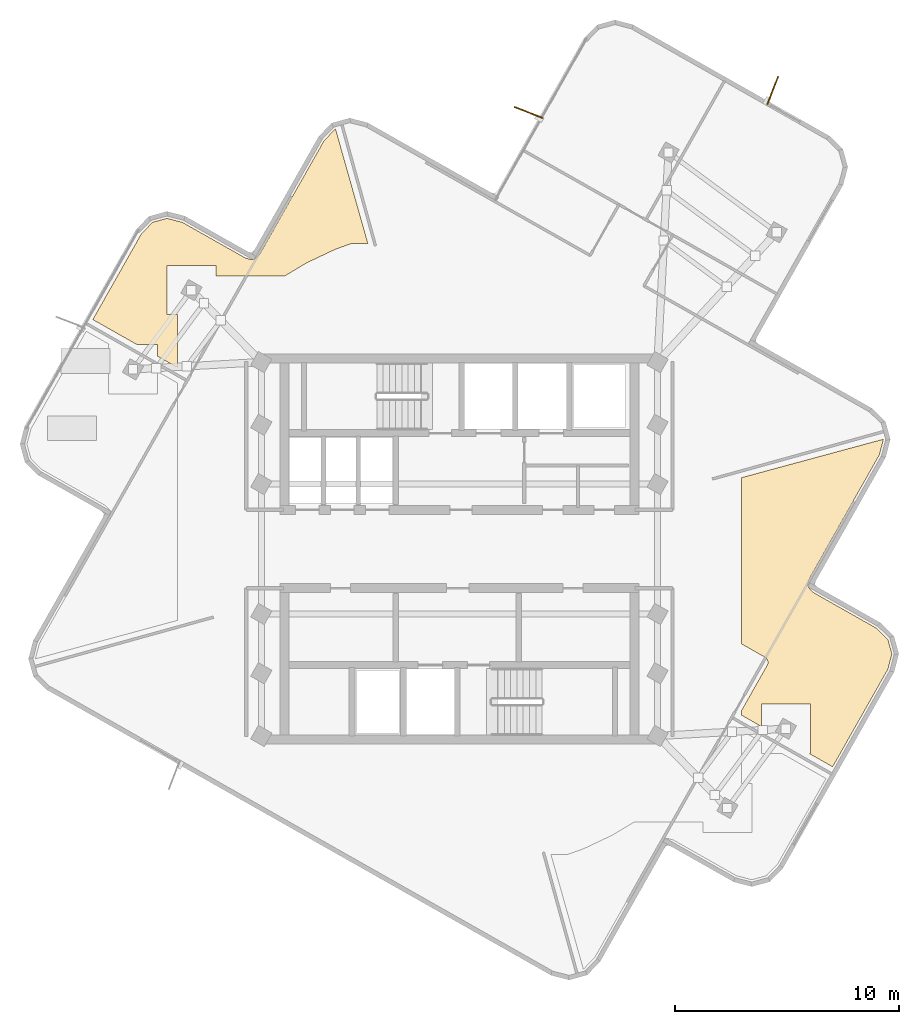
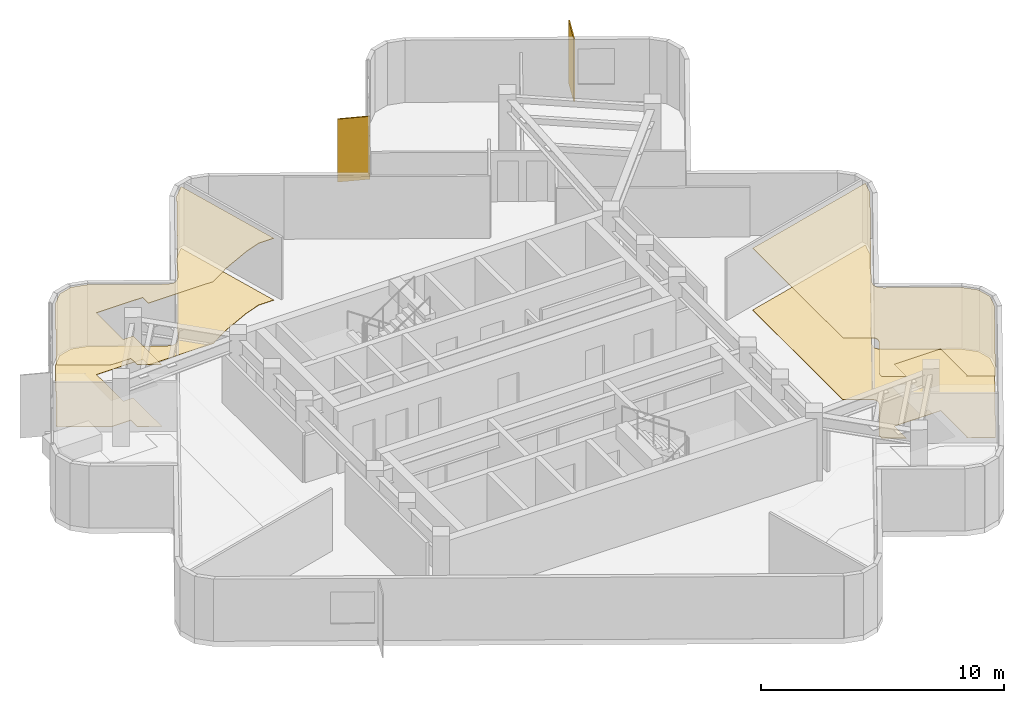
# One storey, part 10 of 11: 4 coverings, 2 shading devices.
"""IFC4 building model written with IfcOpenShell, lengths in metres."""

from ifc_helpers import new_model, si_unit, direction, frame, origin, origin_2d, place, context, subcontext, project, spatial, polyline, rectangle, outline, extrude, material, layer, layer_set, type_object, element, save


model = new_model("IFC4")

# Units and contexts
model_context = context("Model", 3, precision=1e-05, world=origin(), true_north=direction((0.0, 1.0)))
body_context = subcontext(model_context, "Body", "Model", "MODEL_VIEW")
ifc_project = project(units=[si_unit("LENGTHUNIT", "METRE"), si_unit("AREAUNIT", "SQUARE_METRE"), si_unit("VOLUMEUNIT", "CUBIC_METRE"), si_unit("PLANEANGLEUNIT", "RADIAN"), si_unit("MASSUNIT", "GRAM", prefix="KILO")], contexts=[model_context])

# Site, building, storey
site_placement = place(None, origin())
site = spatial("IfcSite", under=ifc_project, at=site_placement, CompositionType="ELEMENT")
building_placement = place(site_placement, origin())
building = spatial("IfcBuilding", under=site, at=building_placement, Name="Solmarez Civic Tower", CompositionType="ELEMENT")
storey_placement = place(building_placement, frame((0.0, 0.0, 281.699951171875)))
storey = spatial("IfcBuildingStorey", under=building, at=storey_placement, Name="L76", CompositionType="ELEMENT", Elevation=281.699951171875)

# Coverings
ifc_material_1 = material(Name="Perforated Mineral-Fibre Acoustic Ceiling")
ifc_layer_1 = layer(ifc_material_1, 0.02490234375)
ifc_layer_set_1 = layer_set([ifc_layer_1], Name="Perforated Mineral-Fibre Acoustic Ceiling")
covering_type_1 = type_object("IfcCoveringType", Name="COV-CEIL-ACOUSTIC", PredefinedType="CEILING", material=ifc_layer_set_1)
covering_1_placement = place(storey_placement, frame((0.0, 0.0, 3.094970703125)))
element("IfcCovering", 1, at=covering_1_placement, inside=storey, type_object=covering_type_1, Name="L76 Suspended Acoustic Ceiling 2", PredefinedType="CEILING", context=body_context, shape_type="SweptSolid", body=[
    extrude(outline(polyline([(12.60009765625, 3.18798828125), (12.60009765625, -4.238037109375), (13.64599609375, -4.8310546875), (13.6630859375, -4.841064453125), (13.678955078125, -4.85302734375), (13.694091796875, -4.865966796875), (13.700927734375, -4.873046875), (13.7119140625, -4.885986328125), (13.718017578125, -4.89306640625), (13.73193359375, -4.909912109375), (13.742919921875, -4.928955078125), (13.748046875, -4.93798828125), (13.758056640625, -4.95703125), (13.764892578125, -4.97705078125), (13.77099609375, -4.9970703125), (13.77294921875, -5.006103515625), (13.77392578125, -5.010986328125), (13.77490234375, -5.01611328125), (13.778076171875, -5.037109375), (13.779052734375, -5.05908203125), (13.779052734375, -5.069091796875), (13.778076171875, -5.091064453125), (13.77490234375, -5.112060546875), (13.77392578125, -5.116943359375), (13.76708984375, -5.14404296875), (13.763916015625, -5.153076171875), (13.759033203125, -5.1650390625), (13.757080078125, -5.169921875), (13.743896484375, -5.196044921875), (12.60009765625, -7.216064453125), (12.60009765625, -7.422119140625), (13.48291015625, -7.922119140625), (13.48291015625, -6.926025390625), (15.68310546875, -6.926025390625), (15.68310546875, -9.1259765625), (15.60888671875, -9.1259765625), (16.6708984375, -9.72705078125), (19.139892578125, -5.366943359375), (19.318115234375, -4.680908203125), (19.139892578125, -4.0390625), (18.634033203125, -3.541015625), (15.85498046875, -1.967041015625), (15.8310546875, -1.952880859375), (15.824951171875, -1.948974609375), (15.80810546875, -1.93603515625), (15.791015625, -1.922119140625), (15.787109375, -1.9169921875), (15.6630859375, -1.7958984375), (15.657958984375, -1.791015625), (15.64501953125, -1.77587890625), (15.639892578125, -1.77001953125), (15.6279296875, -1.75390625), (15.617919921875, -1.738037109375), (15.614013671875, -1.73095703125), (15.60302734375, -1.708984375), (15.60009765625, -1.701904296875), (15.596923828125, -1.695068359375), (15.5869140625, -1.66796875), (15.5849609375, -1.660888671875), (15.5810546875, -1.64501953125), (15.5791015625, -1.6279296875), (15.577880859375, -1.6220703125), (15.576904296875, -1.616943359375), (15.574951171875, -1.5859375), (15.574951171875, -1.577880859375), (15.576904296875, -1.547119140625), (15.577880859375, -1.5400390625), (15.5830078125, -1.51806640625), (15.5849609375, -1.508056640625), (15.6279296875, -1.342041015625), (15.62890625, -1.3369140625), (15.631103515625, -1.330078125), (15.637939453125, -1.31005859375), (15.64697265625, -1.2900390625), (15.657958984375, -1.26904296875), (18.760986328125, 4.212890625), (18.93896484375, 4.89892578125), (18.93701171875, 4.905029296875), (12.60009765625, 3.18798828125)])), origin(), (0.0, 0.0, 1.0), 0.025146484375),
])
covering_2_placement = place(storey_placement, frame((0.0, 0.0, 3.094970703125)))
element("IfcCovering", 2, at=covering_2_placement, inside=storey, type_object=covering_type_1, Name="L76 Suspended Acoustic Ceiling 3", PredefinedType="CEILING", context=body_context, shape_type="SweptSolid", body=[
    extrude(outline(polyline([(-12.60009765625, 8.111083984375), (-12.60009765625, 10.466064453125), (-13.071044921875, 10.466064453125), (-13.071044921875, 12.666015625), (-10.87109375, 12.666015625), (-10.87109375, 12.199951171875), (-7.797119140625, 12.199951171875), (-6.842041015625, 12.77294921875), (-6.826904296875, 12.781005859375), (-6.81396484375, 12.787109375), (-5.552978515625, 13.384033203125), (-5.532958984375, 13.39208984375), (-4.85107421875, 13.635986328125), (-4.844970703125, 13.637939453125), (-4.818115234375, 13.64501953125), (-4.81298828125, 13.64599609375), (-4.7919921875, 13.64892578125), (-4.77001953125, 13.64990234375), (-4.090087890625, 13.64990234375), (-5.534912109375, 18.762939453125), (-5.5419921875, 18.760986328125), (-6.0390625, 18.2548828125), (-8.89697265625, 13.208984375), (-8.905029296875, 13.195068359375), (-8.908935546875, 13.18896484375), (-8.919921875, 13.174072265625), (-8.924072265625, 13.1689453125), (-8.93994140625, 13.14990234375), (-8.944091796875, 13.14599609375), (-9.06396484375, 13.02392578125), (-9.080078125, 13.009033203125), (-9.092041015625, 12.9990234375), (-9.111083984375, 12.985107421875), (-9.116943359375, 12.98095703125), (-9.134033203125, 12.970947265625), (-9.152099609375, 12.9619140625), (-9.166015625, 12.9560546875), (-9.193115234375, 12.946044921875), (-9.199951171875, 12.944091796875), (-9.216064453125, 12.93994140625), (-9.23291015625, 12.93798828125), (-9.240966796875, 12.93701171875), (-9.2490234375, 12.93603515625), (-9.27587890625, 12.93408203125), (-9.282958984375, 12.93408203125), (-9.31005859375, 12.93603515625), (-9.318115234375, 12.93701171875), (-9.3349609375, 12.93896484375), (-9.35107421875, 12.943115234375), (-9.35595703125, 12.945068359375), (-9.52001953125, 12.987060546875), (-9.5380859375, 12.991943359375), (-9.56005859375, 13.0), (-9.5810546875, 13.009033203125), (-9.597900390625, 13.02001953125), (-12.376953125, 14.593017578125), (-13.06298828125, 14.77001953125), (-13.7060546875, 14.593017578125), (-14.202880859375, 14.0869140625), (-16.3759765625, 10.2490234375), (-14.39208984375, 9.1259765625), (-13.48291015625, 9.1259765625), (-13.48291015625, 8.611083984375), (-12.60009765625, 8.111083984375)])), origin(), (0.0, 0.0, 1.0), 0.025146484375),
])
ifc_material_2 = material(Name="Polished Tropical Stone Terrazzo Flooring", Category="masonry")
ifc_layer_2 = layer(ifc_material_2, 0.02001953125)
ifc_layer_set_2 = layer_set([ifc_layer_2], Name="Polished Tropical Stone Terrazzo Flooring")
covering_type_2 = type_object("IfcCoveringType", Name="COV-FLOOR-TERRAZZO", PredefinedType="FLOORING", material=ifc_layer_set_2)
covering_3_placement = place(storey_placement, origin())
element("IfcCovering", 3, at=covering_3_placement, inside=storey, type_object=covering_type_2, Name="L76 Terrazzo Floor Finish 2", PredefinedType="FLOORING", context=body_context, shape_type="SweptSolid", body=[
    extrude(outline(polyline([(12.60009765625, 3.18798828125), (12.60009765625, -4.238037109375), (13.64599609375, -4.8310546875), (13.6630859375, -4.841064453125), (13.678955078125, -4.85302734375), (13.694091796875, -4.865966796875), (13.700927734375, -4.873046875), (13.7119140625, -4.885986328125), (13.718017578125, -4.89306640625), (13.73193359375, -4.909912109375), (13.742919921875, -4.928955078125), (13.748046875, -4.93798828125), (13.758056640625, -4.95703125), (13.764892578125, -4.97705078125), (13.77099609375, -4.9970703125), (13.77294921875, -5.006103515625), (13.77392578125, -5.010986328125), (13.77490234375, -5.01611328125), (13.778076171875, -5.037109375), (13.779052734375, -5.05908203125), (13.779052734375, -5.069091796875), (13.778076171875, -5.091064453125), (13.77490234375, -5.112060546875), (13.77392578125, -5.116943359375), (13.76708984375, -5.14404296875), (13.763916015625, -5.153076171875), (13.759033203125, -5.1650390625), (13.757080078125, -5.169921875), (13.743896484375, -5.196044921875), (12.60009765625, -7.216064453125), (12.60009765625, -7.422119140625), (13.48291015625, -7.922119140625), (13.48291015625, -6.926025390625), (15.68310546875, -6.926025390625), (15.68310546875, -9.1259765625), (15.60888671875, -9.1259765625), (16.6708984375, -9.72705078125), (19.139892578125, -5.366943359375), (19.318115234375, -4.680908203125), (19.139892578125, -4.0390625), (18.634033203125, -3.541015625), (15.85498046875, -1.967041015625), (15.8310546875, -1.952880859375), (15.824951171875, -1.948974609375), (15.80810546875, -1.93603515625), (15.791015625, -1.922119140625), (15.787109375, -1.9169921875), (15.6630859375, -1.7958984375), (15.657958984375, -1.791015625), (15.64501953125, -1.77587890625), (15.639892578125, -1.77001953125), (15.6279296875, -1.75390625), (15.617919921875, -1.738037109375), (15.614013671875, -1.73095703125), (15.60302734375, -1.708984375), (15.60009765625, -1.701904296875), (15.596923828125, -1.695068359375), (15.5869140625, -1.66796875), (15.5849609375, -1.660888671875), (15.5810546875, -1.64501953125), (15.5791015625, -1.6279296875), (15.577880859375, -1.6220703125), (15.576904296875, -1.616943359375), (15.574951171875, -1.5859375), (15.574951171875, -1.577880859375), (15.576904296875, -1.547119140625), (15.577880859375, -1.5400390625), (15.5830078125, -1.51806640625), (15.5849609375, -1.508056640625), (15.6279296875, -1.342041015625), (15.62890625, -1.3369140625), (15.631103515625, -1.330078125), (15.637939453125, -1.31005859375), (15.64697265625, -1.2900390625), (15.657958984375, -1.26904296875), (18.760986328125, 4.212890625), (18.93896484375, 4.89892578125), (18.93701171875, 4.905029296875), (12.60009765625, 3.18798828125)])), origin(), (0.0, 0.0, 1.0), 0.02001953125),
])
covering_4_placement = place(storey_placement, origin())
element("IfcCovering", 4, at=covering_4_placement, inside=storey, type_object=covering_type_2, Name="L76 Terrazzo Floor Finish 3", PredefinedType="FLOORING", context=body_context, shape_type="SweptSolid", body=[
    extrude(outline(polyline([(-12.60009765625, 8.111083984375), (-12.60009765625, 10.466064453125), (-13.071044921875, 10.466064453125), (-13.071044921875, 12.666015625), (-10.87109375, 12.666015625), (-10.87109375, 12.199951171875), (-7.797119140625, 12.199951171875), (-6.842041015625, 12.77294921875), (-6.826904296875, 12.781005859375), (-6.81396484375, 12.787109375), (-5.552978515625, 13.384033203125), (-5.532958984375, 13.39208984375), (-4.85107421875, 13.635986328125), (-4.844970703125, 13.637939453125), (-4.818115234375, 13.64501953125), (-4.81298828125, 13.64599609375), (-4.7919921875, 13.64892578125), (-4.77001953125, 13.64990234375), (-4.090087890625, 13.64990234375), (-5.534912109375, 18.762939453125), (-5.5419921875, 18.760986328125), (-6.0390625, 18.2548828125), (-8.89697265625, 13.208984375), (-8.905029296875, 13.195068359375), (-8.908935546875, 13.18896484375), (-8.919921875, 13.174072265625), (-8.924072265625, 13.1689453125), (-8.93994140625, 13.14990234375), (-8.944091796875, 13.14599609375), (-9.06396484375, 13.02392578125), (-9.080078125, 13.009033203125), (-9.092041015625, 12.9990234375), (-9.111083984375, 12.985107421875), (-9.116943359375, 12.98095703125), (-9.134033203125, 12.970947265625), (-9.152099609375, 12.9619140625), (-9.166015625, 12.9560546875), (-9.193115234375, 12.946044921875), (-9.199951171875, 12.944091796875), (-9.216064453125, 12.93994140625), (-9.23291015625, 12.93798828125), (-9.240966796875, 12.93701171875), (-9.2490234375, 12.93603515625), (-9.27587890625, 12.93408203125), (-9.282958984375, 12.93408203125), (-9.31005859375, 12.93603515625), (-9.318115234375, 12.93701171875), (-9.3349609375, 12.93896484375), (-9.35107421875, 12.943115234375), (-9.35595703125, 12.945068359375), (-9.52001953125, 12.987060546875), (-9.5380859375, 12.991943359375), (-9.56005859375, 13.0), (-9.5810546875, 13.009033203125), (-9.597900390625, 13.02001953125), (-12.376953125, 14.593017578125), (-13.06298828125, 14.77001953125), (-13.7060546875, 14.593017578125), (-14.202880859375, 14.0869140625), (-16.3759765625, 10.2490234375), (-14.39208984375, 9.1259765625), (-13.48291015625, 9.1259765625), (-13.48291015625, 8.611083984375), (-12.60009765625, 8.111083984375)])), origin(), (0.0, 0.0, 1.0), 0.02001953125),
])

# Shading devices
ifc_material_3 = material(Name="Bronze Anodised Aluminium EN AW-6063 T6", Category="aluminium")
ifc_layer_3 = layer(ifc_material_3, 0.054931640625)
ifc_layer_set_3 = layer_set([ifc_layer_3], Name="Bronze Anodised Aluminium EN AW-6063 T6")
shading_device_type = type_object("IfcShadingDeviceType", Name="FIN-BRONZE-Z56", PredefinedType="USERDEFINED", material=ifc_layer_set_3)
for number, where, z_axis, x_axis, name in (
    (5, (3.0849609375, 19.5029296875, -0.0400390625), (0.0, 0.0, 1.0), (-0.932827815397, 0.3603224484, 0.0), "L76 Anodised Bronze Solar Fin FIN-L76-03"),
    (6, (13.9970703125, 20.487060546875, -0.0400390625), (0.0, 0.0, 1.0), (0.360355010014, 0.932815237203, 0.0), "L76 Anodised Bronze Solar Fin FIN-L76-04"),
):
    element("IfcShadingDevice", number, at=place(storey_placement, frame(where, z_axis=z_axis, x_axis=x_axis)), inside=storey, type_object=shading_device_type, Name=name, ObjectType="FIN", PredefinedType="USERDEFINED", context=body_context, shape_type="SweptSolid", body=[
        extrude(rectangle(XDim=1.35009765625, YDim=0.054931640625, at=origin_2d()), origin(), (0.0, 0.0, 1.0), 3.159912109375),
    ])

save(model, "model.ifc")
